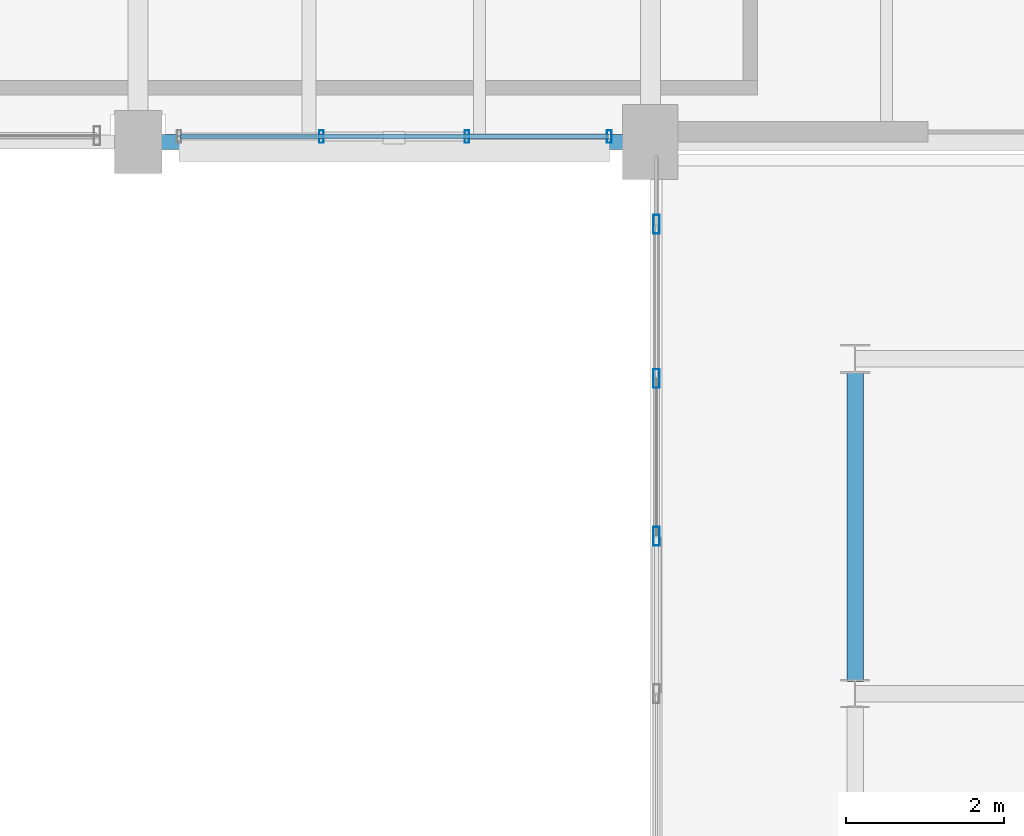
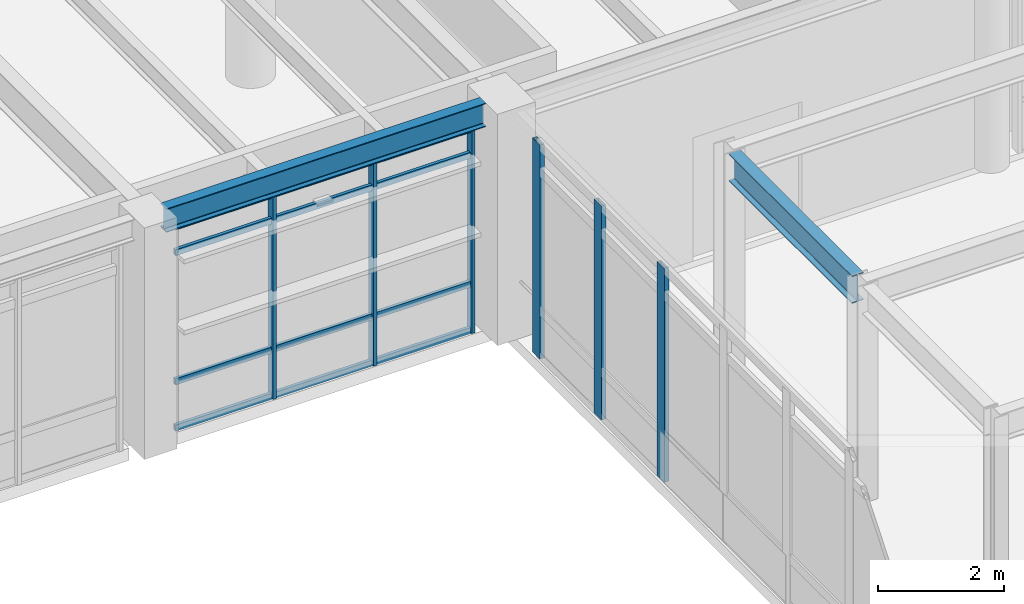
# One storey, part 62 of 200: 10 members, 2 beams, 2 elements without a shape of their own.
"""IFC4 building model written with IfcOpenShell, lengths in metres."""

from ifc_helpers import new_model, si_unit, direction, frame, origin, origin_2d, place, context, subcontext, project, spatial, hollow_rectangle, i_section, extrude, material, material_profile, profile_set, type_object, element, aggregate, save


model = new_model("IFC4")

# Units and contexts
model_context = context("Model", 3, precision=1e-05, world=origin(), true_north=direction((0.0, 1.0)))
body_context = subcontext(model_context, "Body", "Model", "MODEL_VIEW")
ifc_project = project(units=[si_unit("LENGTHUNIT", "METRE"), si_unit("AREAUNIT", "SQUARE_METRE"), si_unit("VOLUMEUNIT", "CUBIC_METRE"), si_unit("PLANEANGLEUNIT", "RADIAN"), si_unit("MASSUNIT", "GRAM", prefix="KILO"), si_unit("THERMODYNAMICTEMPERATUREUNIT", "KELVIN"), si_unit("POWERUNIT", "WATT")], contexts=[model_context])

# Site, building, storey
site_placement = place(None, origin())
site = spatial("IfcSite", under=ifc_project, at=site_placement, CompositionType="ELEMENT")
building_placement = place(site_placement, origin())
building = spatial("IfcBuilding", under=site, at=building_placement, Name="Tepalcoro Natatorium and Aquatics Centre", CompositionType="ELEMENT")
storey_placement = place(building_placement, frame((0.0, 0.0, 5.39990234375)))
storey = spatial("IfcBuildingStorey", under=building, at=storey_placement, Name="L01", CompositionType="ELEMENT", Elevation=5.39990234375)

# Beam
ifc_material_1 = material(Name="Steel ASTM A992 Grade 50 (Fy 345 MPa)", Category="steel")
ifc_material_profile_1 = material_profile(ifc_material_1, i_section(OverallWidth=0.2109375, OverallDepth=0.5380859375, WebThickness=0.011962890625, FlangeThickness=0.01904296875, FilletRadius=0.013916015625, at=origin_2d()), Name="W21X73")
ifc_profile_set_1 = profile_set([ifc_material_profile_1], Name="Steel ASTM A992 Grade 50 (Fy 345 MPa)")
beam_type_1 = type_object("IfcBeamType", Name="BM_LINK_LB1", PredefinedType="BEAM", material=ifc_profile_set_1)
beam_1_placement = place(storey_placement, frame((55.60009765625, 79.156982421875, 3.9560546875), z_axis=(0.0, 1.0, 0.0), x_axis=(-1.0, 0.0, 0.0)))
element("IfcBeam", 1, at=beam_1_placement, inside=storey, type_object=beam_type_1, Name="Seismic passage link beam LB1 (V6NW L01)", PredefinedType="BEAM", context=body_context, shape_type="SweptSolid", body=[
    extrude(i_section(OverallWidth=0.2109375, OverallDepth=0.5380859375, WebThickness=0.011962890625, FlangeThickness=0.01904296875, FilletRadius=0.013916015625, at=origin_2d()), origin(), (0.0, 0.0, 1.0), 3.929931640625),
])

# Curtain wall, members
ifc_material_2 = material(Name="Bronze-Anodised Extruded Aluminium Alloy EN AW-6063 T6", Category="aluminium")
curtain_wall_type_1 = type_object("IfcCurtainWallType", Name="CW_V5_UPPER", PredefinedType="USERDEFINED", material=ifc_material_2)
curtain_wall_1_placement = place(storey_placement, origin())
curtain_wall_1 = element("IfcCurtainWall", 2, at=curtain_wall_1_placement, inside=storey, type_object=curtain_wall_type_1, Name="V4 L01 S Unitised Curtain Wall Bay 5", ObjectType="FACETED SOLAR GLAZING", PredefinedType="USERDEFINED")
ifc_material_profile_2 = material_profile(ifc_material_2, hollow_rectangle(XDim=0.06005859375, YDim=0.159912109375, WallThickness=0.00390625, at=origin_2d()), Name="AL60X160X4")
ifc_profile_set_2 = profile_set([ifc_material_profile_2], Name="Bronze-Anodised Extruded Aluminium Alloy EN AW-6063 T6")
member_type_1 = type_object("IfcMemberType", Name="CW_MUL_60x160", PredefinedType="MULLION", material=ifc_profile_set_2)
member_1_placement = place(storey_placement, frame((48.82666015625, 86.0712890625, 0.02001953125), z_axis=(0.0, 0.0, 1.0), x_axis=(1.0, 0.0, 0.0)))
member_1 = element("IfcMember", 3, at=member_1_placement, type_object=member_type_1, Name="CW_V5_UPPER Curtain Wall Mullion", PredefinedType="MULLION", context=body_context, shape_type="SweptSolid", body=[
    extrude(hollow_rectangle(XDim=0.06005859375, YDim=0.159912109375, WallThickness=0.00390625, at=origin_2d()), origin(), (0.0, 0.0, 1.0), 3.969970703125),
])
member_2_placement = place(storey_placement, frame((50.67333984375, 86.0712890625, 0.02001953125), z_axis=(0.0, 0.0, 1.0), x_axis=(1.0, 0.0, 0.0)))
member_2 = element("IfcMember", 4, at=member_2_placement, type_object=member_type_1, Name="CW_V5_UPPER Curtain Wall Mullion", PredefinedType="MULLION", context=body_context, shape_type="SweptSolid", body=[
    extrude(hollow_rectangle(XDim=0.06005859375, YDim=0.159912109375, WallThickness=0.00390625, at=origin_2d()), origin(), (0.0, 0.0, 1.0), 3.969970703125),
])
member_3_placement = place(storey_placement, frame((52.47998046875, 86.0712890625, 0.02001953125), z_axis=(0.0, 0.0, 1.0), x_axis=(1.0, 0.0, 0.0)))
member_3 = element("IfcMember", 5, at=member_3_placement, type_object=member_type_1, Name="CW_V5_UPPER Curtain Wall Mullion", PredefinedType="MULLION", context=body_context, shape_type="SweptSolid", body=[
    extrude(hollow_rectangle(XDim=0.06005859375, YDim=0.159912109375, WallThickness=0.00390625, at=origin_2d()), origin(), (0.0, 0.0, 1.0), 3.969970703125),
])

curtain_wall_type_2 = type_object("IfcCurtainWallType", Name="CW_LINK_150", PredefinedType="USERDEFINED", material=ifc_material_2)
curtain_wall_2_placement = place(storey_placement, origin())
curtain_wall_2 = element("IfcCurtainWall", 6, at=curtain_wall_2_placement, inside=storey, type_object=curtain_wall_type_2, Name="West Court Swimmers Arcade Glazed Wall W L01", ObjectType="UNITISED STOREFRONT", PredefinedType="USERDEFINED")
ifc_material_profile_3 = material_profile(ifc_material_2, hollow_rectangle(XDim=0.080078125, YDim=0.239990234375, WallThickness=0.0048828125, at=origin_2d()), Name="AL80X240X5")
ifc_profile_set_3 = profile_set([ifc_material_profile_3], Name="Bronze-Anodised Extruded Aluminium Alloy EN AW-6063 T6")
member_type_2 = type_object("IfcMemberType", Name="CW_MUL_80x240", PredefinedType="MULLION", material=ifc_profile_set_3)
member_4_placement = place(storey_placement, frame((53.080078125, 81.0, 0.02001953125), z_axis=(0.0, 0.0, 1.0), x_axis=(1.0, 0.0, 0.0)))
member_4 = element("IfcMember", 7, at=member_4_placement, type_object=member_type_2, Name="CW_LINK_150 Curtain Wall Mullion", PredefinedType="MULLION", context=body_context, shape_type="SweptSolid", body=[
    extrude(hollow_rectangle(XDim=0.080078125, YDim=0.239990234375, WallThickness=0.0048828125, at=origin_2d()), origin(), (0.0, 0.0, 1.0), 4.16015625),
])
member_5_placement = place(storey_placement, frame((53.080078125, 83.0, 0.02001953125), z_axis=(0.0, 0.0, 1.0), x_axis=(1.0, 0.0, 0.0)))
member_5 = element("IfcMember", 8, at=member_5_placement, type_object=member_type_2, Name="CW_LINK_150 Curtain Wall Mullion", PredefinedType="MULLION", context=body_context, shape_type="SweptSolid", body=[
    extrude(hollow_rectangle(XDim=0.080078125, YDim=0.239990234375, WallThickness=0.0048828125, at=origin_2d()), origin(), (0.0, 0.0, 1.0), 4.16015625),
])
member_6_placement = place(storey_placement, frame((53.080078125, 84.9599609375, 0.02001953125), z_axis=(0.0, 0.0, 1.0), x_axis=(1.0, 0.0, 0.0)))
member_6 = element("IfcMember", 9, at=member_6_placement, type_object=member_type_2, Name="CW_LINK_150 Curtain Wall Mullion", PredefinedType="MULLION", context=body_context, shape_type="SweptSolid", body=[
    extrude(hollow_rectangle(XDim=0.080078125, YDim=0.239990234375, WallThickness=0.0048828125, at=origin_2d()), origin(), (0.0, 0.0, 1.0), 4.16015625),
])
aggregate(curtain_wall_2, [member_4, member_5, member_6])

# Member
ifc_material_profile_4 = material_profile(ifc_material_2, hollow_rectangle(XDim=0.06005859375, YDim=0.1201171875, WallThickness=0.00390625, at=origin_2d()), Name="AL60X120X4")
ifc_profile_set_4 = profile_set([ifc_material_profile_4], Name="Bronze-Anodised Extruded Aluminium Alloy EN AW-6063 T6")
member_type_3 = type_object("IfcMemberType", Name="CW_TRN_60x120", PredefinedType="USERDEFINED", material=ifc_profile_set_4)
member_7_placement = place(storey_placement, frame((47.030029296875, 86.0712890625, 0.050048828125), z_axis=(1.0, 0.0, 0.0), x_axis=(0.0, 1.0, 0.0)))
member_7 = element("IfcMember", 10, at=member_7_placement, type_object=member_type_3, Name="CW_V5_UPPER Curtain Wall Transom", ObjectType="TRANSOM", PredefinedType="USERDEFINED", context=body_context, shape_type="SweptSolid", body=[
    extrude(hollow_rectangle(XDim=0.06005859375, YDim=0.1201171875, WallThickness=0.00390625, at=origin_2d()), origin(), (0.0, 0.0, 1.0), 5.43994140625),
])

member_8_placement = place(storey_placement, frame((47.030029296875, 86.0712890625, 0.9501953125), z_axis=(1.0, 0.0, 0.0), x_axis=(0.0, 1.0, 0.0)))
member_8 = element("IfcMember", 11, at=member_8_placement, type_object=member_type_3, Name="CW_V5_UPPER Curtain Wall Transom", ObjectType="TRANSOM", PredefinedType="USERDEFINED", context=body_context, shape_type="SweptSolid", body=[
    extrude(hollow_rectangle(XDim=0.06005859375, YDim=0.1201171875, WallThickness=0.00390625, at=origin_2d()), origin(), (0.0, 0.0, 1.0), 5.43994140625),
])

member_9_placement = place(storey_placement, frame((47.030029296875, 86.0712890625, 3.460205078125), z_axis=(1.0, 0.0, 0.0), x_axis=(0.0, 1.0, 0.0)))
member_9 = element("IfcMember", 12, at=member_9_placement, type_object=member_type_3, Name="CW_V5_UPPER Curtain Wall Transom", ObjectType="TRANSOM", PredefinedType="USERDEFINED", context=body_context, shape_type="SweptSolid", body=[
    extrude(hollow_rectangle(XDim=0.06005859375, YDim=0.1201171875, WallThickness=0.00390625, at=origin_2d()), origin(), (0.0, 0.0, 1.0), 5.43994140625),
])

member_10_placement = place(storey_placement, frame((47.030029296875, 86.0712890625, 3.960205078125), z_axis=(1.0, 0.0, 0.0), x_axis=(0.0, 1.0, 0.0)))
member_10 = element("IfcMember", 13, at=member_10_placement, type_object=member_type_3, Name="CW_V5_UPPER Curtain Wall Transom", ObjectType="TRANSOM", PredefinedType="USERDEFINED", context=body_context, shape_type="SweptSolid", body=[
    extrude(hollow_rectangle(XDim=0.06005859375, YDim=0.1201171875, WallThickness=0.00390625, at=origin_2d()), origin(), (0.0, 0.0, 1.0), 5.43994140625),
])

aggregate(curtain_wall_1, [member_1, member_2, member_3, member_7, member_8, member_9, member_10])

# Beam
ifc_material_profile_5 = material_profile(ifc_material_1, i_section(OverallWidth=0.19091796875, OverallDepth=0.4599609375, WebThickness=0.010009765625, FlangeThickness=0.01611328125, FilletRadius=0.013916015625, at=origin_2d()), Name="W18X55")
ifc_profile_set_5 = profile_set([ifc_material_profile_5], Name="Steel ASTM A992 Grade 50 (Fy 345 MPa)")
beam_type_2 = type_object("IfcBeamType", Name="SP_W18x55", PredefinedType="SPANDREL", material=ifc_profile_set_5)
beam_2_placement = place(storey_placement, frame((46.784912109375, 86.0, 4.255126953125), z_axis=(1.0, 0.0, 0.0), x_axis=(0.0, 1.0, 0.0)))
element("IfcBeam", 14, at=beam_2_placement, inside=storey, type_object=beam_type_2, Name="V4 L01 Grid Girder X", PredefinedType="SPANDREL", context=body_context, shape_type="SweptSolid", body=[
    extrude(i_section(OverallWidth=0.19091796875, OverallDepth=0.4599609375, WebThickness=0.010009765625, FlangeThickness=0.01611328125, FilletRadius=0.013916015625, at=origin_2d()), origin(), (0.0, 0.0, 1.0), 5.880126953125),
])

save(model, "model.ifc")
